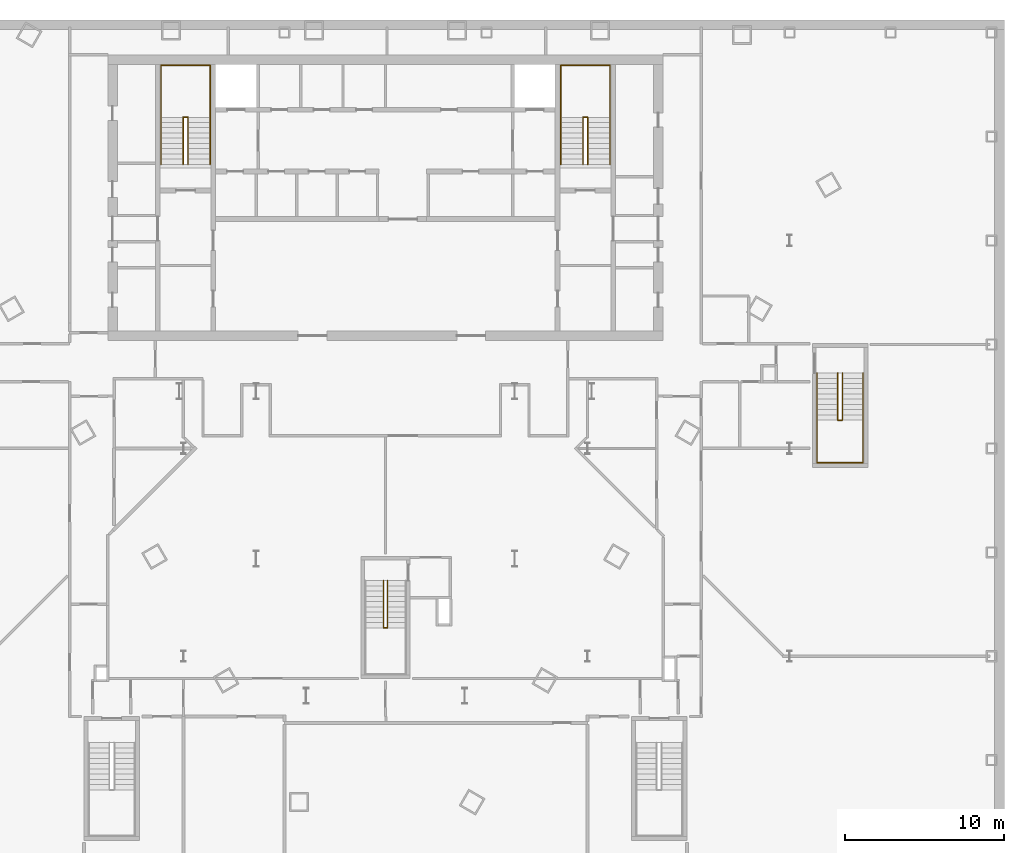
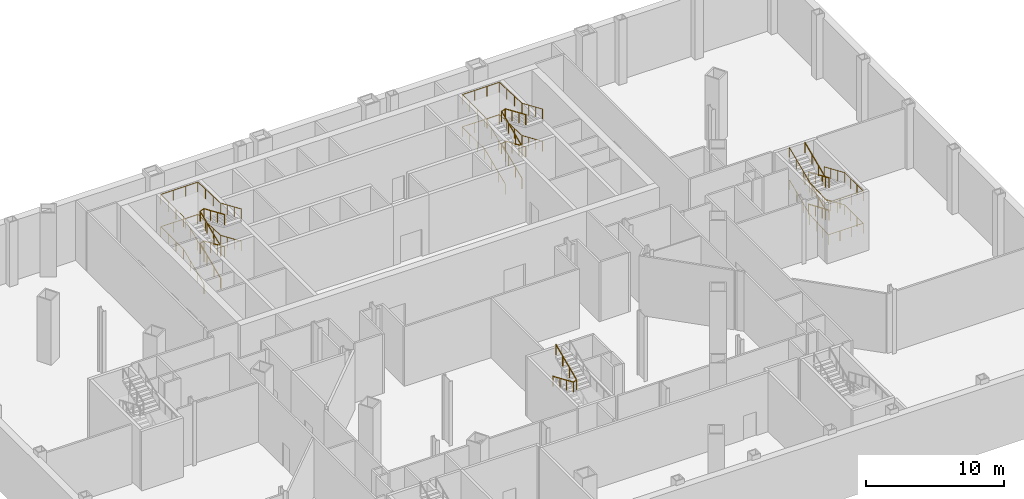
# One storey, part 17 of 17: 13 railings.
"""IFC4 building model written with IfcOpenShell, lengths in metres."""

from ifc_helpers import new_model, si_unit, direction, frame, origin, origin_2d, place, context, subcontext, project, spatial, circle, extrude, material, type_object, element, save


model = new_model("IFC4")

# Units and contexts
model_context = context("Model", 3, precision=1e-05, world=origin(), true_north=direction((0.0, 1.0)))
body_context = subcontext(model_context, "Body", "Model", "MODEL_VIEW")
ifc_project = project(units=[si_unit("LENGTHUNIT", "METRE"), si_unit("AREAUNIT", "SQUARE_METRE"), si_unit("VOLUMEUNIT", "CUBIC_METRE"), si_unit("PLANEANGLEUNIT", "RADIAN"), si_unit("MASSUNIT", "GRAM", prefix="KILO")], contexts=[model_context])

# Site, building, storey
site_placement = place(None, origin())
site = spatial("IfcSite", under=ifc_project, at=site_placement, CompositionType="ELEMENT")
building_placement = place(site_placement, origin())
building = spatial("IfcBuilding", under=site, at=building_placement, Name="Njiva Tower", CompositionType="ELEMENT")
storey_placement = place(building_placement, frame((0.0, 0.0, -11.4)))
storey = spatial("IfcBuildingStorey", under=building, at=storey_placement, Name="B2", CompositionType="ELEMENT", Elevation=-11.4)

# Railings
ifc_material = material(Name="Stainless steel", Category="steel")
railing_type = type_object("IfcRailingType", Name="RL1 Stair handrail 900", PredefinedType="HANDRAIL", material=ifc_material)
railing_1_placement = place(storey_placement, frame((-14.15, 11.1, 0.1425)))
element("IfcRailing", 1, at=railing_1_placement, inside=storey, type_object=railing_type, Name="Stair A handrail", PredefinedType="HANDRAIL", context=body_context, shape_type="SweptSolid", body=[
    extrude(circle(Radius=0.024, at=origin_2d()), frame((0.0, 0.0, 0.876), z_axis=(0.0, 0.918062353536, 0.3964360163), x_axis=(-1.0, 0.0, 0.0)), (0.0, 0.0, 1.0), 3.2351),
    extrude(circle(Radius=0.024, at=origin_2d()), frame((0.0, 2.97, 2.1585), z_axis=(0.0, 1.0, 0.0), x_axis=(-1.0, 0.0, 0.0)), (0.0, 0.0, 1.0), 3.28),
    extrude(circle(Radius=0.024, at=origin_2d()), frame((0.0, 6.25, 2.1585), z_axis=(1.0, 0.0, 0.0), x_axis=(0.0, 1.0, 0.0)), (0.0, 0.0, 1.0), 3.1),
    extrude(circle(Radius=0.024, at=origin_2d()), frame((3.1, 6.25, 2.1585), z_axis=(0.0, -0.999057594557, 0.043404179032), x_axis=(1.0, 0.0, 0.0)), (0.0, 0.0, 1.0), 3.2831),
    extrude(circle(Radius=0.024, at=origin_2d()), frame((3.1, 2.97, 2.301), z_axis=(0.0, -0.918062353536, 0.3964360163), x_axis=(1.0, 0.0, 0.0)), (0.0, 0.0, 1.0), 3.2351),
    extrude(circle(Radius=0.021, at=origin_2d()), origin(), (0.0, 0.0, 1.0), 0.852),
    extrude(circle(Radius=0.021, at=origin_2d()), frame((0.0, 0.99, 0.4275)), (0.0, 0.0, 1.0), 0.852),
    extrude(circle(Radius=0.021, at=origin_2d()), frame((0.0, 1.98, 0.855)), (0.0, 0.0, 1.0), 0.852),
    extrude(circle(Radius=0.021, at=origin_2d()), frame((0.0, 2.97, 1.2825)), (0.0, 0.0, 1.0), 0.852),
    extrude(circle(Radius=0.021, at=origin_2d()), frame((0.0, 4.0633, 1.2825)), (0.0, 0.0, 1.0), 0.852),
    extrude(circle(Radius=0.021, at=origin_2d()), frame((0.0, 5.1567, 1.2825)), (0.0, 0.0, 1.0), 0.852),
    extrude(circle(Radius=0.021, at=origin_2d()), frame((0.0, 6.25, 1.2825)), (0.0, 0.0, 1.0), 0.852),
    extrude(circle(Radius=0.021, at=origin_2d()), frame((1.0333, 6.25, 1.2825)), (0.0, 0.0, 1.0), 0.852),
    extrude(circle(Radius=0.021, at=origin_2d()), frame((2.0667, 6.25, 1.2825)), (0.0, 0.0, 1.0), 0.852),
    extrude(circle(Radius=0.021, at=origin_2d()), frame((3.1, 6.25, 1.2825)), (0.0, 0.0, 1.0), 0.852),
    extrude(circle(Radius=0.021, at=origin_2d()), frame((3.1, 5.1567, 1.33)), (0.0, 0.0, 1.0), 0.852),
    extrude(circle(Radius=0.021, at=origin_2d()), frame((3.1, 4.0633, 1.3775)), (0.0, 0.0, 1.0), 0.852),
    extrude(circle(Radius=0.021, at=origin_2d()), frame((3.1, 2.97, 1.425)), (0.0, 0.0, 1.0), 0.852),
    extrude(circle(Radius=0.021, at=origin_2d()), frame((3.1, 1.98, 1.8525)), (0.0, 0.0, 1.0), 0.852),
    extrude(circle(Radius=0.021, at=origin_2d()), frame((3.1, 0.99, 2.28)), (0.0, 0.0, 1.0), 0.852),
    extrude(circle(Radius=0.021, at=origin_2d()), frame((3.1, 0.0, 2.7075)), (0.0, 0.0, 1.0), 0.852),
])
railing_2_placement = place(storey_placement, frame((-12.75, 11.1, 0.1425)))
element("IfcRailing", 2, at=railing_2_placement, inside=storey, type_object=railing_type, Name="Stair A handrail", PredefinedType="HANDRAIL", context=body_context, shape_type="SweptSolid", body=[
    extrude(circle(Radius=0.024, at=origin_2d()), frame((0.0, 0.0, 0.876), z_axis=(0.0, 0.918062353536, 0.3964360163), x_axis=(-1.0, 0.0, 0.0)), (0.0, 0.0, 1.0), 3.2351),
    extrude(circle(Radius=0.024, at=origin_2d()), frame((0.0, 2.97, 2.1585), z_axis=(0.903277504354, 0.0, 0.429056814568), x_axis=(0.0, 1.0, 0.0)), (0.0, 0.0, 1.0), 0.3321),
    extrude(circle(Radius=0.024, at=origin_2d()), frame((0.3, 2.97, 2.301), z_axis=(0.0, -0.918062353536, 0.3964360163), x_axis=(1.0, 0.0, 0.0)), (0.0, 0.0, 1.0), 3.2351),
    extrude(circle(Radius=0.021, at=origin_2d()), origin(), (0.0, 0.0, 1.0), 0.852),
    extrude(circle(Radius=0.021, at=origin_2d()), frame((0.0, 0.99, 0.4275)), (0.0, 0.0, 1.0), 0.852),
    extrude(circle(Radius=0.021, at=origin_2d()), frame((0.0, 1.98, 0.855)), (0.0, 0.0, 1.0), 0.852),
    extrude(circle(Radius=0.021, at=origin_2d()), frame((0.0, 2.97, 1.2825)), (0.0, 0.0, 1.0), 0.852),
    extrude(circle(Radius=0.021, at=origin_2d()), frame((0.3, 2.97, 1.425)), (0.0, 0.0, 1.0), 0.852),
    extrude(circle(Radius=0.021, at=origin_2d()), frame((0.3, 1.98, 1.8525)), (0.0, 0.0, 1.0), 0.852),
    extrude(circle(Radius=0.021, at=origin_2d()), frame((0.3, 0.99, 2.28)), (0.0, 0.0, 1.0), 0.852),
    extrude(circle(Radius=0.021, at=origin_2d()), frame((0.3, 0.0, 2.7075)), (0.0, 0.0, 1.0), 0.852),
])
railing_3_placement = place(storey_placement, frame((-14.15, 11.1, 2.9925)))
element("IfcRailing", 3, at=railing_3_placement, inside=storey, type_object=railing_type, Name="Stair A handrail", PredefinedType="HANDRAIL", context=body_context, shape_type="SweptSolid", body=[
    extrude(circle(Radius=0.024, at=origin_2d()), frame((0.0, 0.0, 0.876), z_axis=(0.0, 0.918062353536, 0.3964360163), x_axis=(-1.0, 0.0, 0.0)), (0.0, 0.0, 1.0), 3.2351),
    extrude(circle(Radius=0.024, at=origin_2d()), frame((0.0, 2.97, 2.1585), z_axis=(0.0, 1.0, 0.0), x_axis=(-1.0, 0.0, 0.0)), (0.0, 0.0, 1.0), 3.28),
    extrude(circle(Radius=0.024, at=origin_2d()), frame((0.0, 6.25, 2.1585), z_axis=(1.0, 0.0, 0.0), x_axis=(0.0, 1.0, 0.0)), (0.0, 0.0, 1.0), 3.1),
    extrude(circle(Radius=0.024, at=origin_2d()), frame((3.1, 6.25, 2.1585), z_axis=(0.0, -0.999057594557, 0.043404179032), x_axis=(1.0, 0.0, 0.0)), (0.0, 0.0, 1.0), 3.2831),
    extrude(circle(Radius=0.024, at=origin_2d()), frame((3.1, 2.97, 2.301), z_axis=(0.0, -0.918062353536, 0.3964360163), x_axis=(1.0, 0.0, 0.0)), (0.0, 0.0, 1.0), 3.2351),
    extrude(circle(Radius=0.021, at=origin_2d()), origin(), (0.0, 0.0, 1.0), 0.852),
    extrude(circle(Radius=0.021, at=origin_2d()), frame((0.0, 0.99, 0.4275)), (0.0, 0.0, 1.0), 0.852),
    extrude(circle(Radius=0.021, at=origin_2d()), frame((0.0, 1.98, 0.855)), (0.0, 0.0, 1.0), 0.852),
    extrude(circle(Radius=0.021, at=origin_2d()), frame((0.0, 2.97, 1.2825)), (0.0, 0.0, 1.0), 0.852),
    extrude(circle(Radius=0.021, at=origin_2d()), frame((0.0, 4.0633, 1.2825)), (0.0, 0.0, 1.0), 0.852),
    extrude(circle(Radius=0.021, at=origin_2d()), frame((0.0, 5.1567, 1.2825)), (0.0, 0.0, 1.0), 0.852),
    extrude(circle(Radius=0.021, at=origin_2d()), frame((0.0, 6.25, 1.2825)), (0.0, 0.0, 1.0), 0.852),
    extrude(circle(Radius=0.021, at=origin_2d()), frame((1.0333, 6.25, 1.2825)), (0.0, 0.0, 1.0), 0.852),
    extrude(circle(Radius=0.021, at=origin_2d()), frame((2.0667, 6.25, 1.2825)), (0.0, 0.0, 1.0), 0.852),
    extrude(circle(Radius=0.021, at=origin_2d()), frame((3.1, 6.25, 1.2825)), (0.0, 0.0, 1.0), 0.852),
    extrude(circle(Radius=0.021, at=origin_2d()), frame((3.1, 5.1567, 1.33)), (0.0, 0.0, 1.0), 0.852),
    extrude(circle(Radius=0.021, at=origin_2d()), frame((3.1, 4.0633, 1.3775)), (0.0, 0.0, 1.0), 0.852),
    extrude(circle(Radius=0.021, at=origin_2d()), frame((3.1, 2.97, 1.425)), (0.0, 0.0, 1.0), 0.852),
    extrude(circle(Radius=0.021, at=origin_2d()), frame((3.1, 1.98, 1.8525)), (0.0, 0.0, 1.0), 0.852),
    extrude(circle(Radius=0.021, at=origin_2d()), frame((3.1, 0.99, 2.28)), (0.0, 0.0, 1.0), 0.852),
    extrude(circle(Radius=0.021, at=origin_2d()), frame((3.1, 0.0, 2.7075)), (0.0, 0.0, 1.0), 0.852),
])
railing_4_placement = place(storey_placement, frame((-12.75, 11.1, 2.9925)))
element("IfcRailing", 4, at=railing_4_placement, inside=storey, type_object=railing_type, Name="Stair A handrail", PredefinedType="HANDRAIL", context=body_context, shape_type="SweptSolid", body=[
    extrude(circle(Radius=0.024, at=origin_2d()), frame((0.0, 0.0, 0.876), z_axis=(0.0, 0.918062353536, 0.3964360163), x_axis=(-1.0, 0.0, 0.0)), (0.0, 0.0, 1.0), 3.2351),
    extrude(circle(Radius=0.024, at=origin_2d()), frame((0.0, 2.97, 2.1585), z_axis=(0.903277504354, 0.0, 0.429056814568), x_axis=(0.0, 1.0, 0.0)), (0.0, 0.0, 1.0), 0.3321),
    extrude(circle(Radius=0.024, at=origin_2d()), frame((0.3, 2.97, 2.301), z_axis=(0.0, -0.918062353536, 0.3964360163), x_axis=(1.0, 0.0, 0.0)), (0.0, 0.0, 1.0), 3.2351),
    extrude(circle(Radius=0.021, at=origin_2d()), origin(), (0.0, 0.0, 1.0), 0.852),
    extrude(circle(Radius=0.021, at=origin_2d()), frame((0.0, 0.99, 0.4275)), (0.0, 0.0, 1.0), 0.852),
    extrude(circle(Radius=0.021, at=origin_2d()), frame((0.0, 1.98, 0.855)), (0.0, 0.0, 1.0), 0.852),
    extrude(circle(Radius=0.021, at=origin_2d()), frame((0.0, 2.97, 1.2825)), (0.0, 0.0, 1.0), 0.852),
    extrude(circle(Radius=0.021, at=origin_2d()), frame((0.3, 2.97, 1.425)), (0.0, 0.0, 1.0), 0.852),
    extrude(circle(Radius=0.021, at=origin_2d()), frame((0.3, 1.98, 1.8525)), (0.0, 0.0, 1.0), 0.852),
    extrude(circle(Radius=0.021, at=origin_2d()), frame((0.3, 0.99, 2.28)), (0.0, 0.0, 1.0), 0.852),
    extrude(circle(Radius=0.021, at=origin_2d()), frame((0.3, 0.0, 2.7075)), (0.0, 0.0, 1.0), 0.852),
])
railing_5_placement = place(storey_placement, frame((11.05, 11.1, 0.1425)))
element("IfcRailing", 5, at=railing_5_placement, inside=storey, type_object=railing_type, Name="Stair B handrail", PredefinedType="HANDRAIL", context=body_context, shape_type="SweptSolid", body=[
    extrude(circle(Radius=0.024, at=origin_2d()), frame((0.0, 0.0, 0.876), z_axis=(0.0, 0.918062353536, 0.3964360163), x_axis=(-1.0, 0.0, 0.0)), (0.0, 0.0, 1.0), 3.2351),
    extrude(circle(Radius=0.024, at=origin_2d()), frame((0.0, 2.97, 2.1585), z_axis=(0.0, 1.0, 0.0), x_axis=(-1.0, 0.0, 0.0)), (0.0, 0.0, 1.0), 3.28),
    extrude(circle(Radius=0.024, at=origin_2d()), frame((0.0, 6.25, 2.1585), z_axis=(1.0, 0.0, 0.0), x_axis=(0.0, 1.0, 0.0)), (0.0, 0.0, 1.0), 3.1),
    extrude(circle(Radius=0.024, at=origin_2d()), frame((3.1, 6.25, 2.1585), z_axis=(0.0, -0.999057594557, 0.043404179032), x_axis=(1.0, 0.0, 0.0)), (0.0, 0.0, 1.0), 3.2831),
    extrude(circle(Radius=0.024, at=origin_2d()), frame((3.1, 2.97, 2.301), z_axis=(0.0, -0.918062353536, 0.3964360163), x_axis=(1.0, 0.0, 0.0)), (0.0, 0.0, 1.0), 3.2351),
    extrude(circle(Radius=0.021, at=origin_2d()), origin(), (0.0, 0.0, 1.0), 0.852),
    extrude(circle(Radius=0.021, at=origin_2d()), frame((0.0, 0.99, 0.4275)), (0.0, 0.0, 1.0), 0.852),
    extrude(circle(Radius=0.021, at=origin_2d()), frame((0.0, 1.98, 0.855)), (0.0, 0.0, 1.0), 0.852),
    extrude(circle(Radius=0.021, at=origin_2d()), frame((0.0, 2.97, 1.2825)), (0.0, 0.0, 1.0), 0.852),
    extrude(circle(Radius=0.021, at=origin_2d()), frame((0.0, 4.0633, 1.2825)), (0.0, 0.0, 1.0), 0.852),
    extrude(circle(Radius=0.021, at=origin_2d()), frame((0.0, 5.1567, 1.2825)), (0.0, 0.0, 1.0), 0.852),
    extrude(circle(Radius=0.021, at=origin_2d()), frame((0.0, 6.25, 1.2825)), (0.0, 0.0, 1.0), 0.852),
    extrude(circle(Radius=0.021, at=origin_2d()), frame((1.0333, 6.25, 1.2825)), (0.0, 0.0, 1.0), 0.852),
    extrude(circle(Radius=0.021, at=origin_2d()), frame((2.0667, 6.25, 1.2825)), (0.0, 0.0, 1.0), 0.852),
    extrude(circle(Radius=0.021, at=origin_2d()), frame((3.1, 6.25, 1.2825)), (0.0, 0.0, 1.0), 0.852),
    extrude(circle(Radius=0.021, at=origin_2d()), frame((3.1, 5.1567, 1.33)), (0.0, 0.0, 1.0), 0.852),
    extrude(circle(Radius=0.021, at=origin_2d()), frame((3.1, 4.0633, 1.3775)), (0.0, 0.0, 1.0), 0.852),
    extrude(circle(Radius=0.021, at=origin_2d()), frame((3.1, 2.97, 1.425)), (0.0, 0.0, 1.0), 0.852),
    extrude(circle(Radius=0.021, at=origin_2d()), frame((3.1, 1.98, 1.8525)), (0.0, 0.0, 1.0), 0.852),
    extrude(circle(Radius=0.021, at=origin_2d()), frame((3.1, 0.99, 2.28)), (0.0, 0.0, 1.0), 0.852),
    extrude(circle(Radius=0.021, at=origin_2d()), frame((3.1, 0.0, 2.7075)), (0.0, 0.0, 1.0), 0.852),
])
railing_6_placement = place(storey_placement, frame((12.45, 11.1, 0.1425)))
element("IfcRailing", 6, at=railing_6_placement, inside=storey, type_object=railing_type, Name="Stair B handrail", PredefinedType="HANDRAIL", context=body_context, shape_type="SweptSolid", body=[
    extrude(circle(Radius=0.024, at=origin_2d()), frame((0.0, 0.0, 0.876), z_axis=(0.0, 0.918062353536, 0.3964360163), x_axis=(-1.0, 0.0, 0.0)), (0.0, 0.0, 1.0), 3.2351),
    extrude(circle(Radius=0.024, at=origin_2d()), frame((0.0, 2.97, 2.1585), z_axis=(0.903277504354, 0.0, 0.429056814568), x_axis=(0.0, 1.0, 0.0)), (0.0, 0.0, 1.0), 0.3321),
    extrude(circle(Radius=0.024, at=origin_2d()), frame((0.3, 2.97, 2.301), z_axis=(0.0, -0.918062353536, 0.3964360163), x_axis=(1.0, 0.0, 0.0)), (0.0, 0.0, 1.0), 3.2351),
    extrude(circle(Radius=0.021, at=origin_2d()), origin(), (0.0, 0.0, 1.0), 0.852),
    extrude(circle(Radius=0.021, at=origin_2d()), frame((0.0, 0.99, 0.4275)), (0.0, 0.0, 1.0), 0.852),
    extrude(circle(Radius=0.021, at=origin_2d()), frame((0.0, 1.98, 0.855)), (0.0, 0.0, 1.0), 0.852),
    extrude(circle(Radius=0.021, at=origin_2d()), frame((0.0, 2.97, 1.2825)), (0.0, 0.0, 1.0), 0.852),
    extrude(circle(Radius=0.021, at=origin_2d()), frame((0.3, 2.97, 1.425)), (0.0, 0.0, 1.0), 0.852),
    extrude(circle(Radius=0.021, at=origin_2d()), frame((0.3, 1.98, 1.8525)), (0.0, 0.0, 1.0), 0.852),
    extrude(circle(Radius=0.021, at=origin_2d()), frame((0.3, 0.99, 2.28)), (0.0, 0.0, 1.0), 0.852),
    extrude(circle(Radius=0.021, at=origin_2d()), frame((0.3, 0.0, 2.7075)), (0.0, 0.0, 1.0), 0.852),
])
railing_7_placement = place(storey_placement, frame((11.05, 11.1, 2.9925)))
element("IfcRailing", 7, at=railing_7_placement, inside=storey, type_object=railing_type, Name="Stair B handrail", PredefinedType="HANDRAIL", context=body_context, shape_type="SweptSolid", body=[
    extrude(circle(Radius=0.024, at=origin_2d()), frame((0.0, 0.0, 0.876), z_axis=(0.0, 0.918062353536, 0.3964360163), x_axis=(-1.0, 0.0, 0.0)), (0.0, 0.0, 1.0), 3.2351),
    extrude(circle(Radius=0.024, at=origin_2d()), frame((0.0, 2.97, 2.1585), z_axis=(0.0, 1.0, 0.0), x_axis=(-1.0, 0.0, 0.0)), (0.0, 0.0, 1.0), 3.28),
    extrude(circle(Radius=0.024, at=origin_2d()), frame((0.0, 6.25, 2.1585), z_axis=(1.0, 0.0, 0.0), x_axis=(0.0, 1.0, 0.0)), (0.0, 0.0, 1.0), 3.1),
    extrude(circle(Radius=0.024, at=origin_2d()), frame((3.1, 6.25, 2.1585), z_axis=(0.0, -0.999057594557, 0.043404179032), x_axis=(1.0, 0.0, 0.0)), (0.0, 0.0, 1.0), 3.2831),
    extrude(circle(Radius=0.024, at=origin_2d()), frame((3.1, 2.97, 2.301), z_axis=(0.0, -0.918062353536, 0.3964360163), x_axis=(1.0, 0.0, 0.0)), (0.0, 0.0, 1.0), 3.2351),
    extrude(circle(Radius=0.021, at=origin_2d()), origin(), (0.0, 0.0, 1.0), 0.852),
    extrude(circle(Radius=0.021, at=origin_2d()), frame((0.0, 0.99, 0.4275)), (0.0, 0.0, 1.0), 0.852),
    extrude(circle(Radius=0.021, at=origin_2d()), frame((0.0, 1.98, 0.855)), (0.0, 0.0, 1.0), 0.852),
    extrude(circle(Radius=0.021, at=origin_2d()), frame((0.0, 2.97, 1.2825)), (0.0, 0.0, 1.0), 0.852),
    extrude(circle(Radius=0.021, at=origin_2d()), frame((0.0, 4.0633, 1.2825)), (0.0, 0.0, 1.0), 0.852),
    extrude(circle(Radius=0.021, at=origin_2d()), frame((0.0, 5.1567, 1.2825)), (0.0, 0.0, 1.0), 0.852),
    extrude(circle(Radius=0.021, at=origin_2d()), frame((0.0, 6.25, 1.2825)), (0.0, 0.0, 1.0), 0.852),
    extrude(circle(Radius=0.021, at=origin_2d()), frame((1.0333, 6.25, 1.2825)), (0.0, 0.0, 1.0), 0.852),
    extrude(circle(Radius=0.021, at=origin_2d()), frame((2.0667, 6.25, 1.2825)), (0.0, 0.0, 1.0), 0.852),
    extrude(circle(Radius=0.021, at=origin_2d()), frame((3.1, 6.25, 1.2825)), (0.0, 0.0, 1.0), 0.852),
    extrude(circle(Radius=0.021, at=origin_2d()), frame((3.1, 5.1567, 1.33)), (0.0, 0.0, 1.0), 0.852),
    extrude(circle(Radius=0.021, at=origin_2d()), frame((3.1, 4.0633, 1.3775)), (0.0, 0.0, 1.0), 0.852),
    extrude(circle(Radius=0.021, at=origin_2d()), frame((3.1, 2.97, 1.425)), (0.0, 0.0, 1.0), 0.852),
    extrude(circle(Radius=0.021, at=origin_2d()), frame((3.1, 1.98, 1.8525)), (0.0, 0.0, 1.0), 0.852),
    extrude(circle(Radius=0.021, at=origin_2d()), frame((3.1, 0.99, 2.28)), (0.0, 0.0, 1.0), 0.852),
    extrude(circle(Radius=0.021, at=origin_2d()), frame((3.1, 0.0, 2.7075)), (0.0, 0.0, 1.0), 0.852),
])
railing_8_placement = place(storey_placement, frame((12.45, 11.1, 2.9925)))
element("IfcRailing", 8, at=railing_8_placement, inside=storey, type_object=railing_type, Name="Stair B handrail", PredefinedType="HANDRAIL", context=body_context, shape_type="SweptSolid", body=[
    extrude(circle(Radius=0.024, at=origin_2d()), frame((0.0, 0.0, 0.876), z_axis=(0.0, 0.918062353536, 0.3964360163), x_axis=(-1.0, 0.0, 0.0)), (0.0, 0.0, 1.0), 3.2351),
    extrude(circle(Radius=0.024, at=origin_2d()), frame((0.0, 2.97, 2.1585), z_axis=(0.903277504354, 0.0, 0.429056814568), x_axis=(0.0, 1.0, 0.0)), (0.0, 0.0, 1.0), 0.3321),
    extrude(circle(Radius=0.024, at=origin_2d()), frame((0.3, 2.97, 2.301), z_axis=(0.0, -0.918062353536, 0.3964360163), x_axis=(1.0, 0.0, 0.0)), (0.0, 0.0, 1.0), 3.2351),
    extrude(circle(Radius=0.021, at=origin_2d()), origin(), (0.0, 0.0, 1.0), 0.852),
    extrude(circle(Radius=0.021, at=origin_2d()), frame((0.0, 0.99, 0.4275)), (0.0, 0.0, 1.0), 0.852),
    extrude(circle(Radius=0.021, at=origin_2d()), frame((0.0, 1.98, 0.855)), (0.0, 0.0, 1.0), 0.852),
    extrude(circle(Radius=0.021, at=origin_2d()), frame((0.0, 2.97, 1.2825)), (0.0, 0.0, 1.0), 0.852),
    extrude(circle(Radius=0.021, at=origin_2d()), frame((0.3, 2.97, 1.425)), (0.0, 0.0, 1.0), 0.852),
    extrude(circle(Radius=0.021, at=origin_2d()), frame((0.3, 1.98, 1.8525)), (0.0, 0.0, 1.0), 0.852),
    extrude(circle(Radius=0.021, at=origin_2d()), frame((0.3, 0.99, 2.28)), (0.0, 0.0, 1.0), 0.852),
    extrude(circle(Radius=0.021, at=origin_2d()), frame((0.3, 0.0, 2.7075)), (0.0, 0.0, 1.0), 0.852),
])
railing_9_placement = place(storey_placement, frame((-0.125, -15.135, 2.9925)))
element("IfcRailing", 9, at=railing_9_placement, inside=storey, type_object=railing_type, Name="Stair C handrail", PredefinedType="HANDRAIL", context=body_context, shape_type="SweptSolid", body=[
    extrude(circle(Radius=0.024, at=origin_2d()), frame((0.0, 0.0, 0.876), z_axis=(0.0, -0.918062353536, 0.3964360163), x_axis=(1.0, 0.0, 0.0)), (0.0, 0.0, 1.0), 3.2351),
    extrude(circle(Radius=0.024, at=origin_2d()), frame((0.0, -2.97, 2.1585), z_axis=(0.868777270193, 0.0, 0.49520304401), x_axis=(0.0, 1.0, 0.0)), (0.0, 0.0, 1.0), 0.2878),
    extrude(circle(Radius=0.024, at=origin_2d()), frame((0.25, -2.97, 2.301), z_axis=(0.0, 0.918062353536, 0.3964360163), x_axis=(-1.0, 0.0, 0.0)), (0.0, 0.0, 1.0), 3.2351),
    extrude(circle(Radius=0.021, at=origin_2d()), origin(), (0.0, 0.0, 1.0), 0.852),
    extrude(circle(Radius=0.021, at=origin_2d()), frame((0.0, -0.99, 0.4275)), (0.0, 0.0, 1.0), 0.852),
    extrude(circle(Radius=0.021, at=origin_2d()), frame((0.0, -1.98, 0.855)), (0.0, 0.0, 1.0), 0.852),
    extrude(circle(Radius=0.021, at=origin_2d()), frame((0.0, -2.97, 1.2825)), (0.0, 0.0, 1.0), 0.852),
    extrude(circle(Radius=0.021, at=origin_2d()), frame((0.25, -2.97, 1.425)), (0.0, 0.0, 1.0), 0.852),
    extrude(circle(Radius=0.021, at=origin_2d()), frame((0.25, -1.98, 1.8525)), (0.0, 0.0, 1.0), 0.852),
    extrude(circle(Radius=0.021, at=origin_2d()), frame((0.25, -0.99, 2.28)), (0.0, 0.0, 1.0), 0.852),
    extrude(circle(Radius=0.021, at=origin_2d()), frame((0.25, 0.0, 2.7075)), (0.0, 0.0, 1.0), 0.852),
])
railing_10_placement = place(storey_placement, frame((30.1, -2.05, 0.1425)))
element("IfcRailing", 10, at=railing_10_placement, inside=storey, type_object=railing_type, Name="Stair G handrail", PredefinedType="HANDRAIL", context=body_context, shape_type="SweptSolid", body=[
    extrude(circle(Radius=0.024, at=origin_2d()), frame((0.0, 0.0, 0.876), z_axis=(0.0, -0.918062353536, 0.3964360163), x_axis=(1.0, 0.0, 0.0)), (0.0, 0.0, 1.0), 3.2351),
    extrude(circle(Radius=0.024, at=origin_2d()), frame((0.0, -2.97, 2.1585), z_axis=(0.0, -1.0, 0.0), x_axis=(1.0, 0.0, 0.0)), (0.0, 0.0, 1.0), 2.68),
    extrude(circle(Radius=0.024, at=origin_2d()), frame((0.0, -5.65, 2.1585), z_axis=(-1.0, 0.0, 0.0), x_axis=(0.0, -1.0, 0.0)), (0.0, 0.0, 1.0), 2.9),
    extrude(circle(Radius=0.024, at=origin_2d()), frame((-2.9, -5.65, 2.1585), z_axis=(0.0, 0.998589378657, 0.053096636738), x_axis=(-1.0, 0.0, 0.0)), (0.0, 0.0, 1.0), 2.6838),
    extrude(circle(Radius=0.024, at=origin_2d()), frame((-2.9, -2.97, 2.301), z_axis=(0.0, 0.918062353536, 0.3964360163), x_axis=(-1.0, 0.0, 0.0)), (0.0, 0.0, 1.0), 3.2351),
    extrude(circle(Radius=0.021, at=origin_2d()), origin(), (0.0, 0.0, 1.0), 0.852),
    extrude(circle(Radius=0.021, at=origin_2d()), frame((0.0, -0.99, 0.4275)), (0.0, 0.0, 1.0), 0.852),
    extrude(circle(Radius=0.021, at=origin_2d()), frame((0.0, -1.98, 0.855)), (0.0, 0.0, 1.0), 0.852),
    extrude(circle(Radius=0.021, at=origin_2d()), frame((0.0, -2.97, 1.2825)), (0.0, 0.0, 1.0), 0.852),
    extrude(circle(Radius=0.021, at=origin_2d()), frame((0.0, -3.8633, 1.2825)), (0.0, 0.0, 1.0), 0.852),
    extrude(circle(Radius=0.021, at=origin_2d()), frame((0.0, -4.7567, 1.2825)), (0.0, 0.0, 1.0), 0.852),
    extrude(circle(Radius=0.021, at=origin_2d()), frame((0.0, -5.65, 1.2825)), (0.0, 0.0, 1.0), 0.852),
    extrude(circle(Radius=0.021, at=origin_2d()), frame((-0.9667, -5.65, 1.2825)), (0.0, 0.0, 1.0), 0.852),
    extrude(circle(Radius=0.021, at=origin_2d()), frame((-1.9333, -5.65, 1.2825)), (0.0, 0.0, 1.0), 0.852),
    extrude(circle(Radius=0.021, at=origin_2d()), frame((-2.9, -5.65, 1.2825)), (0.0, 0.0, 1.0), 0.852),
    extrude(circle(Radius=0.021, at=origin_2d()), frame((-2.9, -4.7567, 1.33)), (0.0, 0.0, 1.0), 0.852),
    extrude(circle(Radius=0.021, at=origin_2d()), frame((-2.9, -3.8633, 1.3775)), (0.0, 0.0, 1.0), 0.852),
    extrude(circle(Radius=0.021, at=origin_2d()), frame((-2.9, -2.97, 1.425)), (0.0, 0.0, 1.0), 0.852),
    extrude(circle(Radius=0.021, at=origin_2d()), frame((-2.9, -1.98, 1.8525)), (0.0, 0.0, 1.0), 0.852),
    extrude(circle(Radius=0.021, at=origin_2d()), frame((-2.9, -0.99, 2.28)), (0.0, 0.0, 1.0), 0.852),
    extrude(circle(Radius=0.021, at=origin_2d()), frame((-2.9, 0.0, 2.7075)), (0.0, 0.0, 1.0), 0.852),
])
railing_11_placement = place(storey_placement, frame((28.8, -2.05, 0.1425)))
element("IfcRailing", 11, at=railing_11_placement, inside=storey, type_object=railing_type, Name="Stair G handrail", PredefinedType="HANDRAIL", context=body_context, shape_type="SweptSolid", body=[
    extrude(circle(Radius=0.024, at=origin_2d()), frame((0.0, 0.0, 0.876), z_axis=(0.0, -0.918062353536, 0.3964360163), x_axis=(1.0, 0.0, 0.0)), (0.0, 0.0, 1.0), 3.2351),
    extrude(circle(Radius=0.024, at=origin_2d()), frame((0.0, -2.97, 2.1585), z_axis=(-0.903277504354, 0.0, 0.429056814568), x_axis=(0.0, -1.0, 0.0)), (0.0, 0.0, 1.0), 0.3321),
    extrude(circle(Radius=0.024, at=origin_2d()), frame((-0.3, -2.97, 2.301), z_axis=(0.0, 0.918062353536, 0.3964360163), x_axis=(-1.0, 0.0, 0.0)), (0.0, 0.0, 1.0), 3.2351),
    extrude(circle(Radius=0.021, at=origin_2d()), origin(), (0.0, 0.0, 1.0), 0.852),
    extrude(circle(Radius=0.021, at=origin_2d()), frame((0.0, -0.99, 0.4275)), (0.0, 0.0, 1.0), 0.852),
    extrude(circle(Radius=0.021, at=origin_2d()), frame((0.0, -1.98, 0.855)), (0.0, 0.0, 1.0), 0.852),
    extrude(circle(Radius=0.021, at=origin_2d()), frame((0.0, -2.97, 1.2825)), (0.0, 0.0, 1.0), 0.852),
    extrude(circle(Radius=0.021, at=origin_2d()), frame((-0.3, -2.97, 1.425)), (0.0, 0.0, 1.0), 0.852),
    extrude(circle(Radius=0.021, at=origin_2d()), frame((-0.3, -1.98, 1.8525)), (0.0, 0.0, 1.0), 0.852),
    extrude(circle(Radius=0.021, at=origin_2d()), frame((-0.3, -0.99, 2.28)), (0.0, 0.0, 1.0), 0.852),
    extrude(circle(Radius=0.021, at=origin_2d()), frame((-0.3, 0.0, 2.7075)), (0.0, 0.0, 1.0), 0.852),
])
railing_12_placement = place(storey_placement, frame((30.1, -2.05, 2.9925)))
element("IfcRailing", 12, at=railing_12_placement, inside=storey, type_object=railing_type, Name="Stair G handrail", PredefinedType="HANDRAIL", context=body_context, shape_type="SweptSolid", body=[
    extrude(circle(Radius=0.024, at=origin_2d()), frame((0.0, 0.0, 0.876), z_axis=(0.0, -0.918062353536, 0.3964360163), x_axis=(1.0, 0.0, 0.0)), (0.0, 0.0, 1.0), 3.2351),
    extrude(circle(Radius=0.024, at=origin_2d()), frame((0.0, -2.97, 2.1585), z_axis=(0.0, -1.0, 0.0), x_axis=(1.0, 0.0, 0.0)), (0.0, 0.0, 1.0), 2.68),
    extrude(circle(Radius=0.024, at=origin_2d()), frame((0.0, -5.65, 2.1585), z_axis=(-1.0, 0.0, 0.0), x_axis=(0.0, -1.0, 0.0)), (0.0, 0.0, 1.0), 2.9),
    extrude(circle(Radius=0.024, at=origin_2d()), frame((-2.9, -5.65, 2.1585), z_axis=(0.0, 0.998589378657, 0.053096636738), x_axis=(-1.0, 0.0, 0.0)), (0.0, 0.0, 1.0), 2.6838),
    extrude(circle(Radius=0.024, at=origin_2d()), frame((-2.9, -2.97, 2.301), z_axis=(0.0, 0.918062353536, 0.3964360163), x_axis=(-1.0, 0.0, 0.0)), (0.0, 0.0, 1.0), 3.2351),
    extrude(circle(Radius=0.021, at=origin_2d()), origin(), (0.0, 0.0, 1.0), 0.852),
    extrude(circle(Radius=0.021, at=origin_2d()), frame((0.0, -0.99, 0.4275)), (0.0, 0.0, 1.0), 0.852),
    extrude(circle(Radius=0.021, at=origin_2d()), frame((0.0, -1.98, 0.855)), (0.0, 0.0, 1.0), 0.852),
    extrude(circle(Radius=0.021, at=origin_2d()), frame((0.0, -2.97, 1.2825)), (0.0, 0.0, 1.0), 0.852),
    extrude(circle(Radius=0.021, at=origin_2d()), frame((0.0, -3.8633, 1.2825)), (0.0, 0.0, 1.0), 0.852),
    extrude(circle(Radius=0.021, at=origin_2d()), frame((0.0, -4.7567, 1.2825)), (0.0, 0.0, 1.0), 0.852),
    extrude(circle(Radius=0.021, at=origin_2d()), frame((0.0, -5.65, 1.2825)), (0.0, 0.0, 1.0), 0.852),
    extrude(circle(Radius=0.021, at=origin_2d()), frame((-0.9667, -5.65, 1.2825)), (0.0, 0.0, 1.0), 0.852),
    extrude(circle(Radius=0.021, at=origin_2d()), frame((-1.9333, -5.65, 1.2825)), (0.0, 0.0, 1.0), 0.852),
    extrude(circle(Radius=0.021, at=origin_2d()), frame((-2.9, -5.65, 1.2825)), (0.0, 0.0, 1.0), 0.852),
    extrude(circle(Radius=0.021, at=origin_2d()), frame((-2.9, -4.7567, 1.33)), (0.0, 0.0, 1.0), 0.852),
    extrude(circle(Radius=0.021, at=origin_2d()), frame((-2.9, -3.8633, 1.3775)), (0.0, 0.0, 1.0), 0.852),
    extrude(circle(Radius=0.021, at=origin_2d()), frame((-2.9, -2.97, 1.425)), (0.0, 0.0, 1.0), 0.852),
    extrude(circle(Radius=0.021, at=origin_2d()), frame((-2.9, -1.98, 1.8525)), (0.0, 0.0, 1.0), 0.852),
    extrude(circle(Radius=0.021, at=origin_2d()), frame((-2.9, -0.99, 2.28)), (0.0, 0.0, 1.0), 0.852),
    extrude(circle(Radius=0.021, at=origin_2d()), frame((-2.9, 0.0, 2.7075)), (0.0, 0.0, 1.0), 0.852),
])
railing_13_placement = place(storey_placement, frame((28.8, -2.05, 2.9925)))
element("IfcRailing", 13, at=railing_13_placement, inside=storey, type_object=railing_type, Name="Stair G handrail", PredefinedType="HANDRAIL", context=body_context, shape_type="SweptSolid", body=[
    extrude(circle(Radius=0.024, at=origin_2d()), frame((0.0, 0.0, 0.876), z_axis=(0.0, -0.918062353536, 0.3964360163), x_axis=(1.0, 0.0, 0.0)), (0.0, 0.0, 1.0), 3.2351),
    extrude(circle(Radius=0.024, at=origin_2d()), frame((0.0, -2.97, 2.1585), z_axis=(-0.903277504354, 0.0, 0.429056814568), x_axis=(0.0, -1.0, 0.0)), (0.0, 0.0, 1.0), 0.3321),
    extrude(circle(Radius=0.024, at=origin_2d()), frame((-0.3, -2.97, 2.301), z_axis=(0.0, 0.918062353536, 0.3964360163), x_axis=(-1.0, 0.0, 0.0)), (0.0, 0.0, 1.0), 3.2351),
    extrude(circle(Radius=0.021, at=origin_2d()), origin(), (0.0, 0.0, 1.0), 0.852),
    extrude(circle(Radius=0.021, at=origin_2d()), frame((0.0, -0.99, 0.4275)), (0.0, 0.0, 1.0), 0.852),
    extrude(circle(Radius=0.021, at=origin_2d()), frame((0.0, -1.98, 0.855)), (0.0, 0.0, 1.0), 0.852),
    extrude(circle(Radius=0.021, at=origin_2d()), frame((0.0, -2.97, 1.2825)), (0.0, 0.0, 1.0), 0.852),
    extrude(circle(Radius=0.021, at=origin_2d()), frame((-0.3, -2.97, 1.425)), (0.0, 0.0, 1.0), 0.852),
    extrude(circle(Radius=0.021, at=origin_2d()), frame((-0.3, -1.98, 1.8525)), (0.0, 0.0, 1.0), 0.852),
    extrude(circle(Radius=0.021, at=origin_2d()), frame((-0.3, -0.99, 2.28)), (0.0, 0.0, 1.0), 0.852),
    extrude(circle(Radius=0.021, at=origin_2d()), frame((-0.3, 0.0, 2.7075)), (0.0, 0.0, 1.0), 0.852),
])

save(model, "model.ifc")
